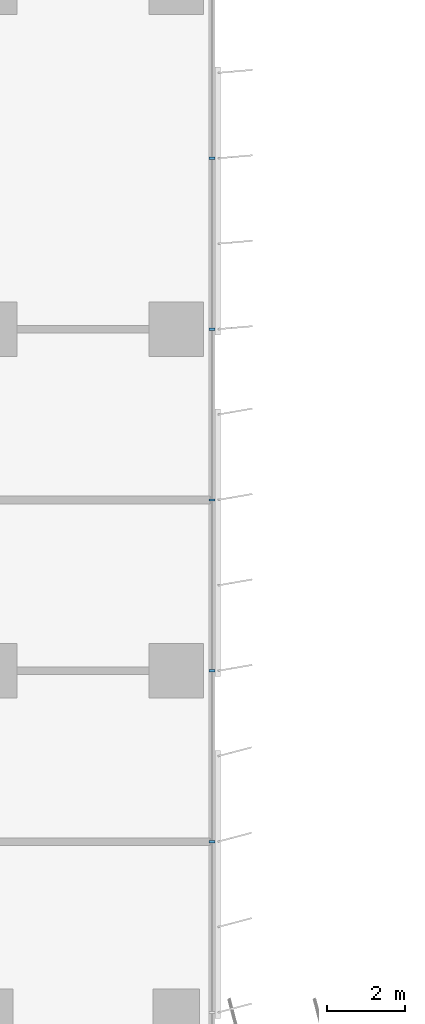
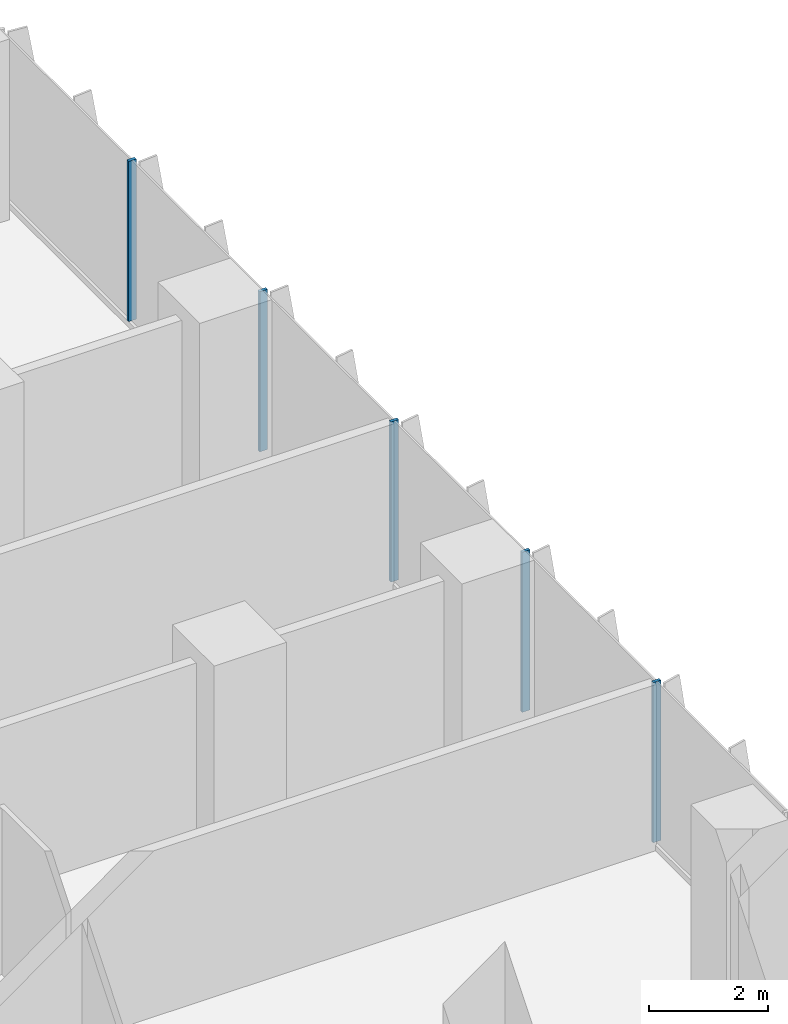
# One storey, part 5 of 24: 5 members, 1 element without a shape of its own.
"""IFC4 building model written with IfcOpenShell, lengths in metres."""

from ifc_helpers import new_model, si_unit, direction, frame, origin, origin_2d, place, context, subcontext, project, spatial, rectangle, extrude, source, transform, mapped, material, material_profile, profile_set, type_object, element, aggregate, save


model = new_model("IFC4")

# Units and contexts
model_context = context("Model", 3, precision=1e-05, world=origin(), true_north=direction((0.0, 1.0)))
body_context = subcontext(model_context, "Body", "Model", "MODEL_VIEW")
ifc_project = project(units=[si_unit("LENGTHUNIT", "METRE"), si_unit("AREAUNIT", "SQUARE_METRE"), si_unit("VOLUMEUNIT", "CUBIC_METRE"), si_unit("PLANEANGLEUNIT", "RADIAN"), si_unit("MASSUNIT", "GRAM", prefix="KILO")], contexts=[model_context])

# Site, building, storey
site_placement = place(None, origin())
site = spatial("IfcSite", under=ifc_project, at=site_placement, CompositionType="ELEMENT")
building_placement = place(site_placement, origin())
building = spatial("IfcBuilding", under=site, at=building_placement, Name="Kemantara Hotel Tower", CompositionType="ELEMENT")
storey_placement = place(building_placement, frame((0.0, 0.0, 63.60009765625)))
storey = spatial("IfcBuildingStorey", under=building, at=storey_placement, Name="L14", CompositionType="ELEMENT", Elevation=63.60009765625)

# Curtain wall, members
ifc_material_1 = material(Name="Low-E tinted double insulated glass 36 mm", Category="glass")
curtain_wall_type = type_object("IfcCurtainWallType", Name="TOWER CURTAIN WALL, FRONT FACES", PredefinedType="USERDEFINED", material=ifc_material_1)
curtain_wall_placement = place(storey_placement, origin())
curtain_wall = element("IfcCurtainWall", 1, at=curtain_wall_placement, inside=storey, type_object=curtain_wall_type, Name="CW4 L14 T1-R08-1", ObjectType="TOWER CURTAIN WALL, FRONT FACES", PredefinedType="USERDEFINED")
ifc_material_2 = material(Name="Aluminium 6063-T6 bronze anodised", Category="aluminium")
ifc_material_profile = material_profile(ifc_material_2, rectangle(XDim=0.14990234375, YDim=0.06005859375, at=origin_2d()), Name="TOWER CURTAIN WALL, FRONT FACES MULLION")
ifc_profile_set = profile_set([ifc_material_profile], Name="Aluminium 6063-T6 bronze anodised")
member_type = type_object("IfcMemberType", Name="TOWER CURTAIN WALL, FRONT FACES MULLION", PredefinedType="MULLION", material=ifc_profile_set)
shared_shape = source(origin(), body_context, "Body", "SweptSolid", [
    extrude(rectangle(XDim=0.14990234375, YDim=0.06005859375, at=origin_2d()), origin(), (0.0, 0.0, 1.0), 3.280029296875),
])
member_1_placement = place(storey_placement, frame((26.72509765625, 31.800048828125, 0.119873046875), z_axis=(0.0, 0.0, 1.0), x_axis=(-1.0, 0.0, 0.0)))
member_1 = element("IfcMember", 2, at=member_1_placement, type_object=member_type, Name="CW4 mullion T1-R08-1.3", PredefinedType="MULLION", context=body_context, shape_type="MappedRepresentation", body=[
    mapped(shared_shape, transform((0.0, 0.0, 0.0))),
])
member_2_placement = place(storey_placement, frame((26.72509765625, 36.199951171875, 0.119873046875), z_axis=(0.0, 0.0, 1.0), x_axis=(-1.0, 0.0, 0.0)))
member_2 = element("IfcMember", 3, at=member_2_placement, type_object=member_type, Name="CW4 mullion T1-R08-1.4", PredefinedType="MULLION", context=body_context, shape_type="MappedRepresentation", body=[
    mapped(shared_shape, transform((0.0, 0.0, 0.0))),
])
member_3_placement = place(storey_placement, frame((26.72509765625, 40.60009765625, 0.119873046875), z_axis=(0.0, 0.0, 1.0), x_axis=(-1.0, 0.0, 0.0)))
member_3 = element("IfcMember", 4, at=member_3_placement, type_object=member_type, Name="CW4 mullion T1-R08-1.5", PredefinedType="MULLION", context=body_context, shape_type="MappedRepresentation", body=[
    mapped(shared_shape, transform((0.0, 0.0, 0.0))),
])
member_4_placement = place(storey_placement, frame((26.72509765625, 45.0, 0.119873046875), z_axis=(0.0, 0.0, 1.0), x_axis=(-1.0, 0.0, 0.0)))
member_4 = element("IfcMember", 5, at=member_4_placement, type_object=member_type, Name="CW4 mullion T1-R08-1.6", PredefinedType="MULLION", context=body_context, shape_type="MappedRepresentation", body=[
    mapped(shared_shape, transform((0.0, 0.0, 0.0))),
])
member_5_placement = place(storey_placement, frame((26.72509765625, 49.39990234375, 0.119873046875), z_axis=(0.0, 0.0, 1.0), x_axis=(-1.0, 0.0, 0.0)))
member_5 = element("IfcMember", 6, at=member_5_placement, type_object=member_type, Name="CW4 mullion T1-R08-1.7", PredefinedType="MULLION", context=body_context, shape_type="MappedRepresentation", body=[
    mapped(shared_shape, transform((0.0, 0.0, 0.0))),
])
aggregate(curtain_wall, [member_1, member_2, member_3, member_4, member_5])

save(model, "model.ifc")
